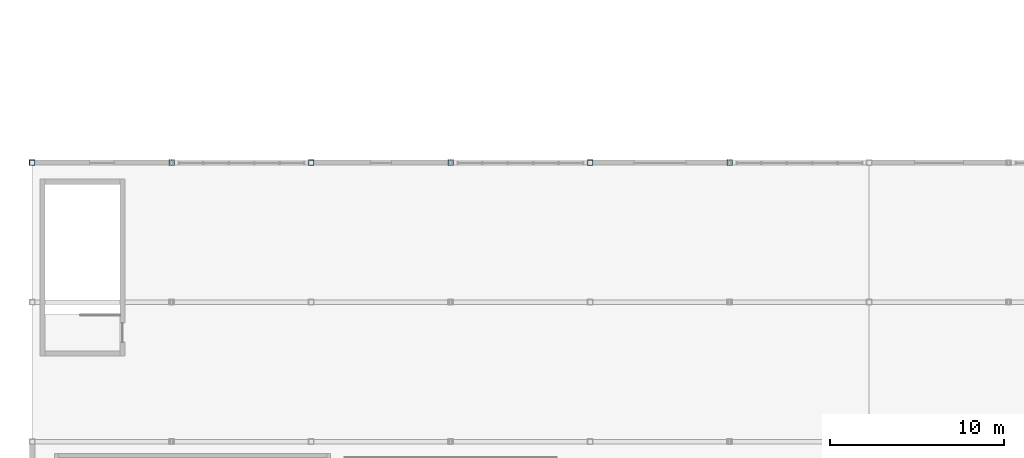
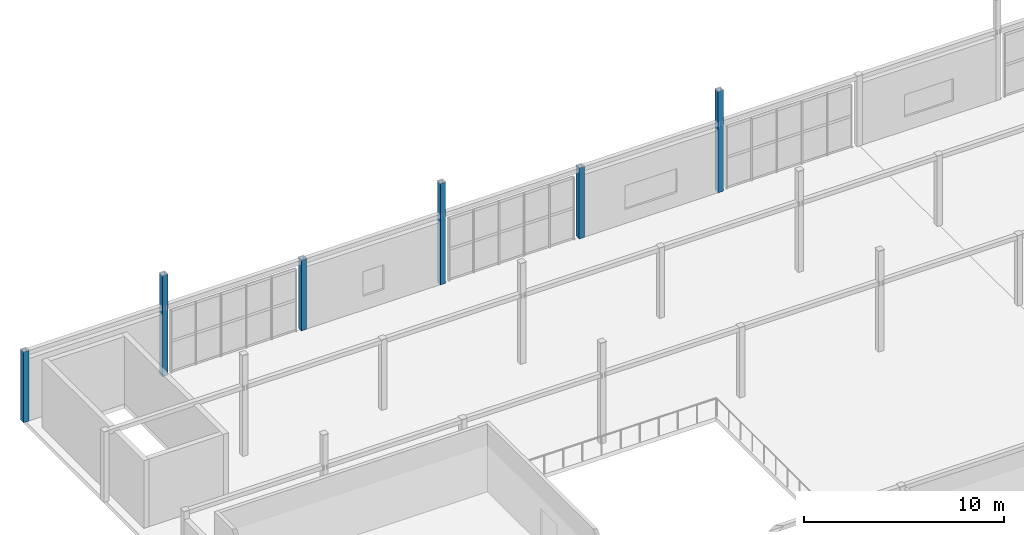
# One storey, part 7 of 83: 6 columns.
"""IFC4 building model written with IfcOpenShell, lengths in metres."""

from ifc_helpers import new_model, si_unit, direction, frame, origin, origin_2d, place, context, subcontext, project, spatial, hollow_rectangle, extrude, material, material_profile, profile_set, type_object, element, save


model = new_model("IFC4")

# Units and contexts
model_context = context("Model", 3, precision=1e-05, world=origin(), true_north=direction((0.0, 1.0)))
body_context = subcontext(model_context, "Body", "Model", "MODEL_VIEW")
ifc_project = project(units=[si_unit("LENGTHUNIT", "METRE"), si_unit("AREAUNIT", "SQUARE_METRE"), si_unit("VOLUMEUNIT", "CUBIC_METRE"), si_unit("PLANEANGLEUNIT", "RADIAN"), si_unit("MASSUNIT", "GRAM", prefix="KILO")], contexts=[model_context])

# Site, building, storey
site_placement = place(None, origin())
site = spatial("IfcSite", under=ifc_project, at=site_placement, CompositionType="ELEMENT")
building_placement = place(site_placement, origin())
building = spatial("IfcBuilding", under=site, at=building_placement, Name="Drelvath Fold Interchange", CompositionType="ELEMENT")
storey_placement = place(building_placement, frame((0.0, 0.0, 11.199951171875)))
storey = spatial("IfcBuildingStorey", under=building, at=storey_placement, Name="L02", CompositionType="ELEMENT", Elevation=11.199951171875)

# Columns
ifc_material = material(Name="Steel ASTM A500 Grade C", Category="steel")
ifc_material_profile = material_profile(ifc_material, hollow_rectangle(XDim=0.304931640625, YDim=0.304931640625, WallThickness=0.01171875, at=origin_2d()), Name="HSS12X12X1/2")
ifc_profile_set = profile_set([ifc_material_profile], Name="Steel ASTM A500 Grade C")
column_type = type_object("IfcColumnType", Name="COL-HSS305", PredefinedType="COLUMN", material=ifc_profile_set)
column_1_placement = place(storey_placement, frame((4.0, 99.0, 0.0), z_axis=(0.0, 0.0, 1.0), x_axis=(1.0, 0.0, 0.0)))
element("IfcColumn", 1, at=column_1_placement, inside=storey, type_object=column_type, Name="L02 column (4,99)", PredefinedType="COLUMN", context=body_context, shape_type="SweptSolid", body=[
    extrude(hollow_rectangle(XDim=0.304931640625, YDim=0.304931640625, WallThickness=0.01171875, at=origin_2d()), origin(), (0.0, 0.0, 1.0), 4.300048828125),
])
column_2_placement = place(storey_placement, frame((12.0, 99.0, 0.0), z_axis=(0.0, 0.0, 1.0), x_axis=(1.0, 0.0, 0.0)))
element("IfcColumn", 2, at=column_2_placement, inside=storey, type_object=column_type, Name="L02 column (12,99)", PredefinedType="COLUMN", context=body_context, shape_type="SweptSolid", body=[
    extrude(hollow_rectangle(XDim=0.304931640625, YDim=0.304931640625, WallThickness=0.01171875, at=origin_2d()), origin(), (0.0, 0.0, 1.0), 6.150146484375),
])
column_3_placement = place(storey_placement, frame((20.0, 99.0, 0.0), z_axis=(0.0, 0.0, 1.0), x_axis=(1.0, 0.0, 0.0)))
element("IfcColumn", 3, at=column_3_placement, inside=storey, type_object=column_type, Name="L02 column (20,99)", PredefinedType="COLUMN", context=body_context, shape_type="SweptSolid", body=[
    extrude(hollow_rectangle(XDim=0.304931640625, YDim=0.304931640625, WallThickness=0.01171875, at=origin_2d()), origin(), (0.0, 0.0, 1.0), 4.300048828125),
])
column_4_placement = place(storey_placement, frame((28.0, 99.0, 0.0), z_axis=(0.0, 0.0, 1.0), x_axis=(1.0, 0.0, 0.0)))
element("IfcColumn", 4, at=column_4_placement, inside=storey, type_object=column_type, Name="L02 column (28,99)", PredefinedType="COLUMN", context=body_context, shape_type="SweptSolid", body=[
    extrude(hollow_rectangle(XDim=0.304931640625, YDim=0.304931640625, WallThickness=0.01171875, at=origin_2d()), origin(), (0.0, 0.0, 1.0), 6.150146484375),
])
column_5_placement = place(storey_placement, frame((36.0, 99.0, 0.0), z_axis=(0.0, 0.0, 1.0), x_axis=(1.0, 0.0, 0.0)))
element("IfcColumn", 5, at=column_5_placement, inside=storey, type_object=column_type, Name="L02 column (36,99)", PredefinedType="COLUMN", context=body_context, shape_type="SweptSolid", body=[
    extrude(hollow_rectangle(XDim=0.304931640625, YDim=0.304931640625, WallThickness=0.01171875, at=origin_2d()), origin(), (0.0, 0.0, 1.0), 4.300048828125),
])
column_6_placement = place(storey_placement, frame((44.0, 99.0, 0.0), z_axis=(0.0, 0.0, 1.0), x_axis=(1.0, 0.0, 0.0)))
element("IfcColumn", 6, at=column_6_placement, inside=storey, type_object=column_type, Name="L02 column (44,99)", PredefinedType="COLUMN", context=body_context, shape_type="SweptSolid", body=[
    extrude(hollow_rectangle(XDim=0.304931640625, YDim=0.304931640625, WallThickness=0.01171875, at=origin_2d()), origin(), (0.0, 0.0, 1.0), 6.150146484375),
])

save(model, "model.ifc")
